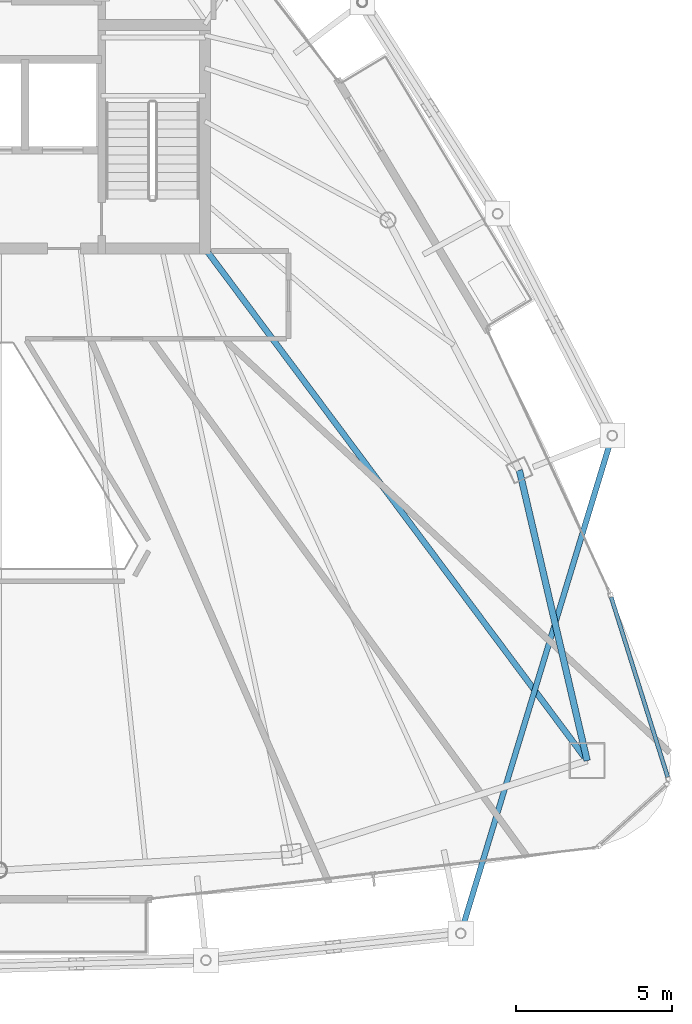
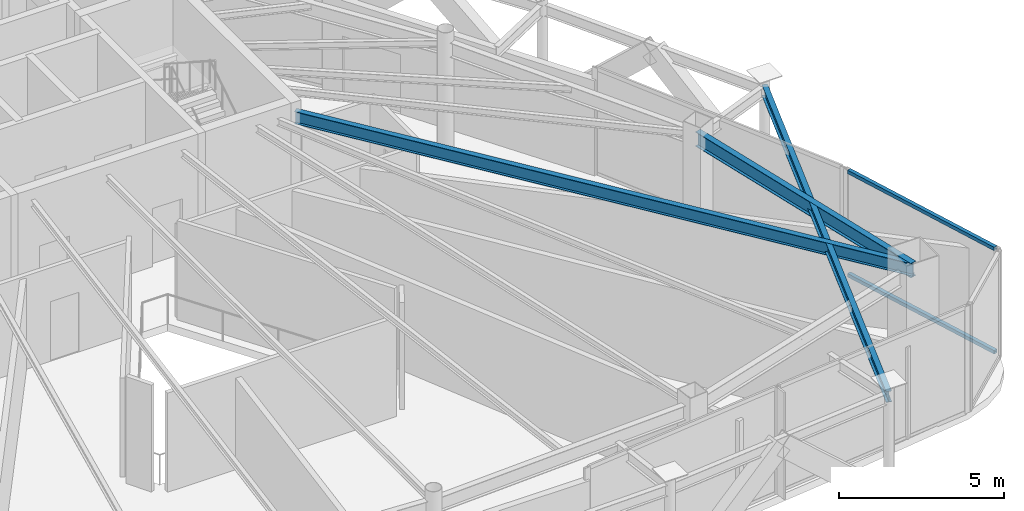
# One storey, part 12 of 22: 3 beams, 2 members, 1 element without a shape of its own.
"""IFC4 building model written with IfcOpenShell, lengths in metres."""

from ifc_helpers import new_model, si_unit, direction, frame, origin, origin_2d, place, context, subcontext, project, spatial, hollow_rectangle, i_section, extrude, material, layer, layer_set, material_profile, profile_set, type_object, element, aggregate, save


model = new_model("IFC4")

# Units and contexts
model_context = context("Model", 3, precision=1e-05, world=origin(), true_north=direction((0.0, 1.0)))
body_context = subcontext(model_context, "Body", "Model", "MODEL_VIEW")
ifc_project = project(units=[si_unit("LENGTHUNIT", "METRE"), si_unit("AREAUNIT", "SQUARE_METRE"), si_unit("VOLUMEUNIT", "CUBIC_METRE"), si_unit("PLANEANGLEUNIT", "RADIAN"), si_unit("MASSUNIT", "GRAM", prefix="KILO")], contexts=[model_context])

# Site, building, storey
site_placement = place(None, origin())
site = spatial("IfcSite", under=ifc_project, at=site_placement, CompositionType="ELEMENT")
building_placement = place(site_placement, origin())
building = spatial("IfcBuilding", under=site, at=building_placement, Name="Orvanel Arch Residences", CompositionType="ELEMENT")
storey_placement = place(building_placement, frame((0.0, 0.0, 276.64990234375)))
storey = spatial("IfcBuildingStorey", under=building, at=storey_placement, Name="L79", CompositionType="ELEMENT", Elevation=276.64990234375)

# Beams
ifc_material_1 = material(Name="Structural steel AS/NZS 3679.1 Grade 300 (300 MPa)", Category="steel")
ifc_material_profile_1 = material_profile(ifc_material_1, i_section(OverallWidth=0.19091796875, OverallDepth=0.4599609375, WebThickness=0.010009765625, FlangeThickness=0.01611328125, at=origin_2d()), Name="460UB82.1")
ifc_profile_set_1 = profile_set([ifc_material_profile_1], Name="Structural steel AS/NZS 3679.1 Grade 300 (300 MPa)")
beam_type_1 = type_object("IfcBeamType", Name="BG-460UB", PredefinedType="BEAM", material=ifc_profile_set_1)
beam_1_placement = place(storey_placement, frame((39.625, 26.675048828125, 3.72021484375), z_axis=(0.597893733742, -0.801575375839, 0.0), x_axis=(0.801575375839, 0.597893733742, 0.0)))
element("IfcBeam", 1, at=beam_1_placement, inside=storey, type_object=beam_type_1, Name="L79 South-East Radial Girder", PredefinedType="BEAM", context=body_context, shape_type="SweptSolid", body=[
    extrude(i_section(OverallWidth=0.19091796875, OverallDepth=0.4599609375, WebThickness=0.010009765625, FlangeThickness=0.01611328125, at=origin_2d()), origin(), (0.0, 0.0, 1.0), 20.36474609375),
])
ifc_material_profile_2 = material_profile(ifc_material_1, i_section(OverallWidth=0.177978515625, OverallDepth=0.406005859375, WebThickness=0.0078125, FlangeThickness=0.0126953125, at=origin_2d()), Name="410UB59.7")
ifc_profile_set_2 = profile_set([ifc_material_profile_2], Name="Structural steel AS/NZS 3679.1 Grade 300 (300 MPa)")
beam_type_2 = type_object("IfcBeamType", Name="OB-410UB-EXT", PredefinedType="SPANDREL", material=ifc_profile_set_2)
beam_2_placement = place(storey_placement, frame((47.759033203125, 4.827880859375, 3.7470703125), z_axis=(0.291198977653, 0.956662508628, 0.0), x_axis=(-0.956662508628, 0.291198977653, 0.0)))
element("IfcBeam", 2, at=beam_2_placement, inside=storey, type_object=beam_type_2, Name="L79 Outer Perimeter Floor Ring Beam 08", PredefinedType="SPANDREL", context=body_context, shape_type="SweptSolid", body=[
    extrude(i_section(OverallWidth=0.177978515625, OverallDepth=0.406005859375, WebThickness=0.0078125, FlangeThickness=0.0126953125, at=origin_2d()), origin(), (0.0, 0.0, 1.0), 16.641357421875),
])
ifc_material_profile_3 = material_profile(ifc_material_1, i_section(OverallWidth=0.208984375, OverallDepth=0.532958984375, WebThickness=0.01025390625, FlangeThickness=0.015625, at=origin_2d()), Name="530UB92.4")
ifc_profile_set_3 = profile_set([ifc_material_profile_3], Name="Structural steel AS/NZS 3679.1 Grade 300 (300 MPa)")
beam_type_3 = type_object("IfcBeamType", Name="SP-530UB", PredefinedType="SPANDREL", material=ifc_profile_set_3)
beam_3_placement = place(storey_placement, frame((51.801025390625, 10.35107421875, 3.68408203125), z_axis=(-0.227236087167, 0.973839699688, 0.0), x_axis=(-0.973839699688, -0.227236087167, 0.0)))
element("IfcBeam", 3, at=beam_3_placement, inside=storey, type_object=beam_type_3, Name="L79 Perimeter Spandrel Beam 06", PredefinedType="SPANDREL", context=body_context, shape_type="SweptSolid", body=[
    extrude(i_section(OverallWidth=0.208984375, OverallDepth=0.532958984375, WebThickness=0.01025390625, FlangeThickness=0.015625, at=origin_2d()), origin(), (0.0, 0.0, 1.0), 9.54052734375),
])

# Curtain wall, members
ifc_material_2 = material(Name="Bronze-anodised aluminium AA6063-T6", Category="aluminium")
ifc_layer = layer(ifc_material_2, 0.18994140625)
ifc_layer_set = layer_set([ifc_layer], Name="Bronze-anodised aluminium AA6063-T6")
curtain_wall_type = type_object("IfcCurtainWallType", Name="CW5-CRN-SYS", PredefinedType="NOTDEFINED", material=ifc_layer_set)
curtain_wall_placement = place(storey_placement, origin())
curtain_wall = element("IfcCurtainWall", 4, at=curtain_wall_placement, inside=storey, type_object=curtain_wall_type, Name="L79 CW5-CRN-SYS Unitised Curtain Wall", PredefinedType="NOTDEFINED")
ifc_material_profile_4 = material_profile(ifc_material_2, hollow_rectangle(XDim=0.1298828125, YDim=0.1298828125, WallThickness=0.00439453125, at=origin_2d()), Name="ALU130x130x4.5")
ifc_profile_set_4 = profile_set([ifc_material_profile_4], Name="Bronze-anodised aluminium AA6063-T6")
member_type = type_object("IfcMemberType", Name="TRN-130x130", PredefinedType="USERDEFINED", material=ifc_profile_set_4)
member_1_placement = place(storey_placement, frame((54.3779296875, 9.8271484375, 0.065185546875), z_axis=(-0.29980764651, 0.953999672481, 0.0), x_axis=(-0.953999672481, -0.29980764651, 0.0)))
member_1 = element("IfcMember", 5, at=member_1_placement, type_object=member_type, Name="CW-S5 transom 1.1", ObjectType="TRANSOM", PredefinedType="USERDEFINED", context=body_context, shape_type="SweptSolid", body=[
    extrude(hollow_rectangle(XDim=0.1298828125, YDim=0.1298828125, WallThickness=0.00439453125, at=origin_2d()), origin(), (0.0, 0.0, 1.0), 6.030029296875),
])
member_2_placement = place(storey_placement, frame((54.3779296875, 9.8271484375, 3.885009765625), z_axis=(-0.29980764651, 0.953999672481, 0.0), x_axis=(-0.953999672481, -0.29980764651, 0.0)))
member_2 = element("IfcMember", 6, at=member_2_placement, type_object=member_type, Name="CW-S5 transom 1.2", ObjectType="TRANSOM", PredefinedType="USERDEFINED", context=body_context, shape_type="SweptSolid", body=[
    extrude(hollow_rectangle(XDim=0.1298828125, YDim=0.1298828125, WallThickness=0.00439453125, at=origin_2d()), origin(), (0.0, 0.0, 1.0), 6.030029296875),
])
aggregate(curtain_wall, [member_1, member_2])

save(model, "model.ifc")
